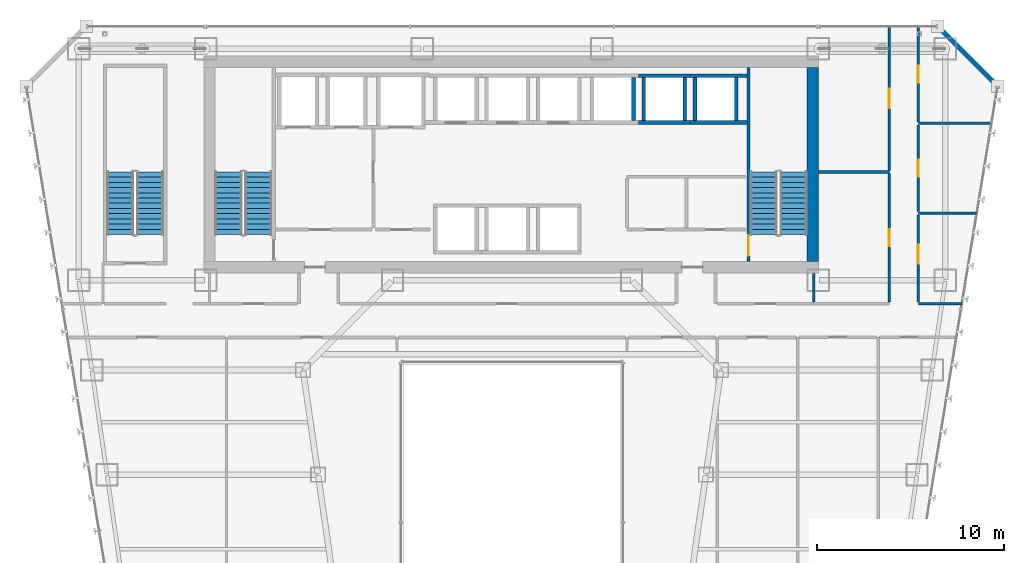
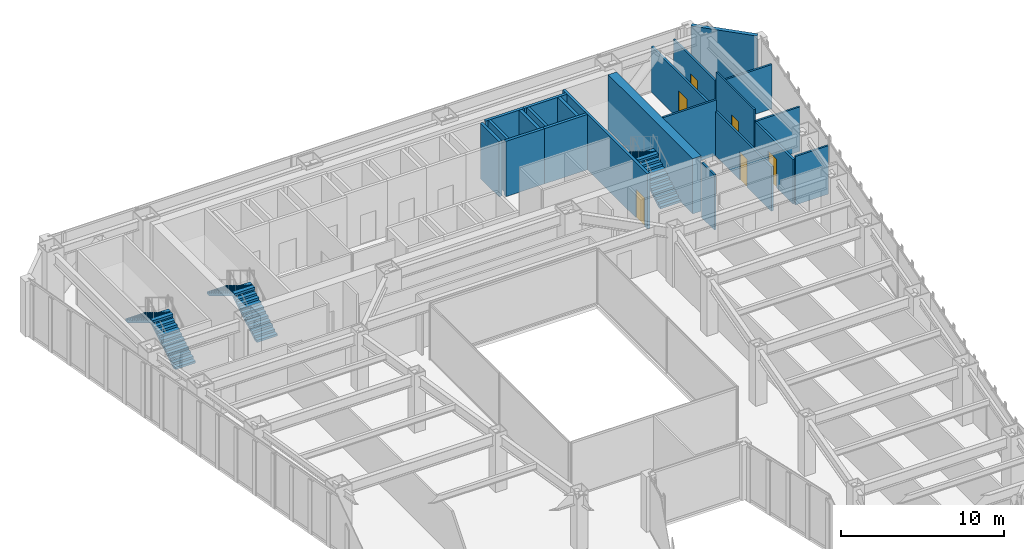
# One storey, part 38 of 47: 22 walls, 6 doors, 6 stair flights, 6 openings, 3 elements without a shape of their own.
"""IFC4 building model written with IfcOpenShell, lengths in metres."""

from ifc_helpers import new_model, si_unit, direction, frame, frame_2d, origin, place, context, subcontext, project, spatial, polyline, rectangle, outline, extrude, material, layer, layer_set, type_object, element, fill, aggregate, save


model = new_model("IFC4")

# Units and contexts
model_context = context("Model", 3, precision=1e-05, world=origin(), true_north=direction((0.0, 1.0)))
body_context = subcontext(model_context, "Body", "Model", "MODEL_VIEW")
ifc_project = project(units=[si_unit("LENGTHUNIT", "METRE"), si_unit("AREAUNIT", "SQUARE_METRE"), si_unit("VOLUMEUNIT", "CUBIC_METRE"), si_unit("PLANEANGLEUNIT", "RADIAN"), si_unit("MASSUNIT", "GRAM", prefix="KILO")], contexts=[model_context])

# Site, building, storey
site_placement = place(None, origin())
site = spatial("IfcSite", under=ifc_project, at=site_placement, CompositionType="ELEMENT")
building_placement = place(site_placement, origin())
building = spatial("IfcBuilding", under=site, at=building_placement, Name="Saevonmaru Cultural Tower", CompositionType="ELEMENT")
storey_placement = place(building_placement, frame((0.0, 0.0, 64.800048828125)))
storey = spatial("IfcBuildingStorey", under=building, at=storey_placement, Name="L13", CompositionType="ELEMENT", Elevation=64.800048828125)

# Walls
ifc_material_1 = material(Name="Concrete C60/75", Category="concrete")
ifc_layer_1 = layer(ifc_material_1, 0.60009765625, Name="Concrete C60/75")
ifc_layer_set_1 = layer_set([ifc_layer_1], Name="Concrete C60/75")
wall_type_1 = type_object("IfcWallType", Name="WL-CORE-600", PredefinedType="SHEAR", material=ifc_layer_set_1)
wall_1_placement = place(storey_placement, frame((46.10009765625, 43.39990234375, 0.0), z_axis=(0.0, 0.0, 1.0), x_axis=(0.0, 1.0, 0.0)))
element("IfcWall", 1, at=wall_1_placement, inside=storey, type_object=wall_type_1, Name="L13 Tower RC core shear wall E", PredefinedType="SHEAR", context=body_context, shape_type="SweptSolid", body=[
    extrude(rectangle(XDim=10.400146484375, YDim=0.60009765625, at=frame_2d((5.2001953125, 0.0))), origin(), (0.0, 0.0, 1.0), 4.14990234375),
])
ifc_material_2 = material(Name="Granite-Clad Precast Concrete C40/50", Category="masonry")
ifc_layer_2 = layer(ifc_material_2, 0.260009765625, Name="Granite-Clad Precast Concrete C40/50")
ifc_layer_set_2 = layer_set([ifc_layer_2], Name="Granite-Clad Precast Concrete C40/50")
wall_type_2 = type_object("IfcWallType", Name="WL-EXT-SPANDREL-260", PredefinedType="STANDARD", material=ifc_layer_set_2)
wall_2_placement = place(storey_placement, frame((55.886962890625, 52.9130859375, 0.0), z_axis=(0.0, 0.0, 1.0), x_axis=(-0.707106781187, 0.707106781187, 0.0)))
element("IfcWall", 2, at=wall_2_placement, inside=storey, type_object=wall_type_2, Name="L13 Chamfer Corner Spandrel Wall E9", PredefinedType="STANDARD", context=body_context, shape_type="SweptSolid", body=[
    extrude(rectangle(XDim=4.205810546875, YDim=0.260009765625, at=frame_2d((2.10302734375, 0.0))), origin(), (0.0, 0.0, 1.0), 4.14990234375),
])

# Wall, opening, door
ifc_material_3 = material(Name="Gypsum Fireboard Partition", Category="gypsum")
ifc_layer_3 = layer(ifc_material_3, 0.14990234375, Name="Gypsum Fireboard Partition")
ifc_layer_set_3 = layer_set([ifc_layer_3], Name="Gypsum Fireboard Partition")
wall_type_3 = type_object("IfcWallType", Name="WL-PART-FIRE-150", PredefinedType="PARTITIONING", material=ifc_layer_set_3)
wall_3_placement = place(storey_placement, frame((50.199951171875, 48.2900390625, 0.0), z_axis=(0.0, 0.0, 1.0), x_axis=(0.0, 1.0, 0.0)))
wall_3 = element("IfcWall", 3, at=wall_3_placement, inside=storey, type_object=wall_type_3, Name="L13 Permanent Exhibition Gallery Corridor Wall", PredefinedType="PARTITIONING", context=body_context, shape_type="SweptSolid", body=[
    extrude(rectangle(XDim=7.705078125, YDim=0.14990234375, at=frame_2d((3.8525390625, 0.0))), origin(), (0.0, 0.0, 1.0), 3.43505859375),
])
opening_1_placement = place(wall_3_placement, frame((3.326904296875, 0.0, 0.0)))
opening_1 = element("IfcOpeningElement", 4, at=opening_1_placement, cuts=wall_3, Name="Opening ID-1", PredefinedType="OPENING", context=body_context, shape_type="SweptSolid", body=[
    extrude(rectangle(XDim=1.050048828125, YDim=2.14990234375, at=frame_2d((0.52490234375, 1.074951171875))), frame((0.0, 0.0849609375, 0.0), z_axis=(0.0, -1.0, 0.0), x_axis=(1.0, 0.0, 0.0)), (0.0, 0.0, 1.0), 0.169921875),
])
ifc_material_4 = material(Name="Satin Bronze Anodised Aluminium", Category="aluminium")
door_type_1 = type_object("IfcDoorType", Name="DR-INT-1050", OperationType="SINGLE_SWING_LEFT", PredefinedType="DOOR", material=ifc_material_4)
door_1_placement = place(opening_1_placement, origin())
door_1 = element("IfcDoor", 5, at=door_1_placement, inside=storey, type_object=door_type_1, Name="L13 Permanent Exhibition Gallery Door", OperationType="SINGLE_SWING_LEFT", OverallHeight=2.14990234375, OverallWidth=1.050048828125, PredefinedType="DOOR", context=body_context, shape_type="SweptSolid", body=[
    extrude(rectangle(XDim=1.050048828125, YDim=2.14990234375, at=frame_2d((0.52490234375, 1.074951171875))), frame((0.0, 0.02490234375, 0.0), z_axis=(0.0, -1.0, 0.0), x_axis=(1.0, 0.0, 0.0)), (0.0, 0.0, 1.0), 0.050048828125),
])
fill(opening_1, door_1)

wall_4_placement = place(storey_placement, frame((51.75, 41.237548828125, 0.0), z_axis=(0.0, 0.0, 1.0), x_axis=(0.0, 1.0, 0.0)))
wall_4 = element("IfcWall", 6, at=wall_4_placement, inside=storey, type_object=wall_type_3, Name="L13 Chamber Rehearsal Auditorium Corridor Wall", PredefinedType="PARTITIONING", context=body_context, shape_type="SweptSolid", body=[
    extrude(rectangle(XDim=4.675048828125, YDim=0.14990234375, at=frame_2d((2.33740234375, 0.0))), origin(), (0.0, 0.0, 1.0), 3.3349609375),
])
opening_2_placement = place(wall_4_placement, frame((2.05810546875, 0.0, 0.0)))
opening_2 = element("IfcOpeningElement", 7, at=opening_2_placement, cuts=wall_4, Name="Opening ID-1B", PredefinedType="OPENING", context=body_context, shape_type="SweptSolid", body=[
    extrude(rectangle(XDim=1.0, YDim=2.14990234375, at=frame_2d((0.5, 1.074951171875))), frame((0.0, 0.0849609375, 0.0), z_axis=(0.0, -1.0, 0.0), x_axis=(1.0, 0.0, 0.0)), (0.0, 0.0, 1.0), 0.169921875),
])
ifc_material_5 = material(Name="Acoustic Stained Oak Timber", Category="wood")
door_type_2 = type_object("IfcDoorType", Name="DR-INT-1000", OperationType="SINGLE_SWING_RIGHT", PredefinedType="DOOR", material=ifc_material_5)
door_2_placement = place(opening_2_placement, origin())
door_2 = element("IfcDoor", 8, at=door_2_placement, inside=storey, type_object=door_type_2, Name="L13 Chamber Rehearsal Auditorium Door", OperationType="SINGLE_SWING_RIGHT", OverallHeight=2.14990234375, OverallWidth=1.0, PredefinedType="DOOR", context=body_context, shape_type="SweptSolid", body=[
    extrude(rectangle(XDim=1.0, YDim=2.14990234375, at=frame_2d((0.5, 1.074951171875))), frame((0.0, 0.02490234375, 0.0), z_axis=(0.0, -1.0, 0.0), x_axis=(1.0, 0.0, 0.0)), (0.0, 0.0, 1.0), 0.050048828125),
])
fill(opening_2, door_2)

ifc_layer_4 = layer(ifc_material_3, 0.1201171875, Name="Gypsum Fireboard Partition")
ifc_layer_set_4 = layer_set([ifc_layer_4], Name="Gypsum Fireboard Partition")
wall_type_4 = type_object("IfcWallType", Name="WL-PART-GYP-120", PredefinedType="PARTITIONING", material=ifc_layer_set_4)
wall_5_placement = place(storey_placement, frame((51.75, 46.08740234375, 0.0), z_axis=(0.0, 0.0, 1.0), x_axis=(0.0, 1.0, 0.0)))
wall_5 = element("IfcWall", 9, at=wall_5_placement, inside=storey, type_object=wall_type_4, Name="L13 Urban Design Meeting Room Corridor Wall", PredefinedType="PARTITIONING", context=body_context, shape_type="SweptSolid", body=[
    extrude(rectangle(XDim=4.625, YDim=0.1201171875, at=frame_2d((2.3125, 0.0))), origin(), (0.0, 0.0, 1.0), 4.14990234375),
])
opening_3_placement = place(wall_5_placement, frame((1.863037109375, 0.0, 0.0)))
opening_3 = element("IfcOpeningElement", 10, at=opening_3_placement, cuts=wall_5, Name="Opening ID-2", PredefinedType="OPENING", context=body_context, shape_type="SweptSolid", body=[
    extrude(rectangle(XDim=0.89990234375, YDim=2.10009765625, at=frame_2d((0.449951171875, 1.050048828125))), frame((0.0, 0.070068359375, 0.0), z_axis=(0.0, -1.0, 0.0), x_axis=(1.0, 0.0, 0.0)), (0.0, 0.0, 1.0), 0.14013671875),
])
door_type_3 = type_object("IfcDoorType", Name="DR-INT-900", OperationType="SINGLE_SWING_RIGHT", PredefinedType="DOOR", material=ifc_material_5)
door_3_placement = place(opening_3_placement, origin())
door_3 = element("IfcDoor", 11, at=door_3_placement, inside=storey, type_object=door_type_3, Name="L13 Urban Design Meeting Room Door", OperationType="SINGLE_SWING_LEFT", OverallHeight=2.10009765625, OverallWidth=0.89990234375, PredefinedType="DOOR", context=body_context, shape_type="SweptSolid", body=[
    extrude(rectangle(XDim=0.89990234375, YDim=2.10009765625, at=frame_2d((0.449951171875, 1.050048828125))), frame((0.0, 0.02490234375, 0.0), z_axis=(0.0, -1.0, 0.0), x_axis=(1.0, 0.0, 0.0)), (0.0, 0.0, 1.0), 0.050048828125),
])
fill(opening_3, door_3)

wall_6_placement = place(storey_placement, frame((51.75, 50.887451171875, 0.0), z_axis=(0.0, 0.0, 1.0), x_axis=(0.0, 1.0, 0.0)))
wall_6 = element("IfcWall", 12, at=wall_6_placement, inside=storey, type_object=wall_type_4, Name="L13 Calligraphy Teaching Studio Corridor Wall", PredefinedType="PARTITIONING", context=body_context, shape_type="SweptSolid", body=[
    extrude(rectangle(XDim=5.107666015625, YDim=0.1201171875, at=frame_2d((2.5537109375, 0.0))), origin(), (0.0, 0.0, 1.0), 3.43505859375),
])
opening_4_placement = place(wall_6_placement, frame((2.10400390625, 0.0, 0.0)))
opening_4 = element("IfcOpeningElement", 13, at=opening_4_placement, cuts=wall_6, Name="Opening ID-2", PredefinedType="OPENING", context=body_context, shape_type="SweptSolid", body=[
    extrude(rectangle(XDim=0.89990234375, YDim=2.10009765625, at=frame_2d((0.449951171875, 1.050048828125))), frame((0.0, 0.070068359375, 0.0), z_axis=(0.0, -1.0, 0.0), x_axis=(1.0, 0.0, 0.0)), (0.0, 0.0, 1.0), 0.14013671875),
])
door_4_placement = place(opening_4_placement, origin())
door_4 = element("IfcDoor", 14, at=door_4_placement, inside=storey, type_object=door_type_3, Name="L13 Calligraphy Teaching Studio Door", OperationType="SINGLE_SWING_RIGHT", OverallHeight=2.10009765625, OverallWidth=0.89990234375, PredefinedType="DOOR", context=body_context, shape_type="SweptSolid", body=[
    extrude(rectangle(XDim=0.89990234375, YDim=2.10009765625, at=frame_2d((0.449951171875, 1.050048828125))), frame((0.0, 0.02490234375, 0.0), z_axis=(0.0, -1.0, 0.0), x_axis=(1.0, 0.0, 0.0)), (0.0, 0.0, 1.0), 0.050048828125),
])
fill(opening_4, door_4)

# Walls
ifc_layer_5 = layer(ifc_material_3, 0.135009765625, Name="Gypsum Fireboard Partition")
ifc_layer_set_5 = layer_set([ifc_layer_5], Name="Gypsum Fireboard Partition")
wall_type_5 = type_object("IfcWallType", Name="WL-PART-GYP-135", PredefinedType="PARTITIONING", material=ifc_layer_set_5)
wall_7_placement = place(storey_placement, frame((51.75, 41.14990234375, 0.0), z_axis=(0.0, 0.0, 1.0), x_axis=(1.0, 0.0, 0.0)))
element("IfcWall", 15, at=wall_7_placement, inside=storey, type_object=wall_type_5, Name="L13 NE Wing South Wall", PredefinedType="PARTITIONING", context=body_context, shape_type="SweptSolid", body=[
    extrude(rectangle(XDim=2.3359375, YDim=0.135009765625, at=frame_2d((1.16796875, 0.0))), origin(), (0.0, 0.0, 1.0), 3.635009765625),
])
wall_8_placement = place(storey_placement, frame((51.75, 46.0, 0.0), z_axis=(0.0, 0.0, 1.0), x_axis=(1.0, 0.0, 0.0)))
element("IfcWall", 16, at=wall_8_placement, inside=storey, type_object=wall_type_5, Name="L13 NE Studio Divider 1", PredefinedType="PARTITIONING", context=body_context, shape_type="SweptSolid", body=[
    extrude(rectangle(XDim=3.130615234375, YDim=0.135009765625, at=frame_2d((1.5654296875, 0.0))), origin(), (0.0, 0.0, 1.0), 3.3349609375),
])
wall_9_placement = place(storey_placement, frame((51.75, 50.800048828125, 0.0), z_axis=(0.0, 0.0, 1.0), x_axis=(1.0, 0.0, 0.0)))
element("IfcWall", 17, at=wall_9_placement, inside=storey, type_object=wall_type_5, Name="L13 NE Studio Divider 2", PredefinedType="PARTITIONING", context=body_context, shape_type="SweptSolid", body=[
    extrude(rectangle(XDim=3.917236328125, YDim=0.135009765625, at=frame_2d((1.95849609375, 0.0))), origin(), (0.0, 0.0, 1.0), 3.3349609375),
])
ifc_layer_6 = layer(ifc_material_3, 0.139892578125, Name="Gypsum Fireboard Partition")
ifc_layer_set_6 = layer_set([ifc_layer_6], Name="Gypsum Fireboard Partition")
wall_type_6 = type_object("IfcWallType", Name="WL-PART-WET-140", PredefinedType="PARTITIONING", material=ifc_layer_set_6)
wall_10_placement = place(storey_placement, frame((46.14990234375, 41.239990234375, 0.0), z_axis=(0.0, 0.0, 1.0), x_axis=(0.0, 1.0, 0.0)))
element("IfcWall", 18, at=wall_10_placement, inside=storey, type_object=wall_type_6, Name="L13 Washroom South-West Return", PredefinedType="PARTITIONING", context=body_context, shape_type="SweptSolid", body=[
    extrude(rectangle(XDim=1.5400390625, YDim=0.139892578125, at=frame_2d((0.77001953125, 0.0))), origin(), (0.0, 0.0, 1.0), 4.14990234375),
])
wall_11_placement = place(storey_placement, frame((46.419921875, 48.199951171875, 0.0), z_axis=(0.0, 0.0, 1.0), x_axis=(1.0, 0.0, 0.0)))
element("IfcWall", 19, at=wall_11_placement, inside=storey, type_object=wall_type_6, Name="L13 Washroom North Wall", PredefinedType="PARTITIONING", context=body_context, shape_type="SweptSolid", body=[
    extrude(rectangle(XDim=3.780029296875, YDim=0.139892578125, at=frame_2d((1.89013671875, 0.0))), origin(), (0.0, 0.0, 1.0), 4.14990234375),
])

# Wall, opening, door
wall_12_placement = place(storey_placement, frame((50.199951171875, 41.239990234375, 0.0), z_axis=(0.0, 0.0, 1.0), x_axis=(0.0, 1.0, 0.0)))
wall_12 = element("IfcWall", 20, at=wall_12_placement, inside=storey, type_object=wall_type_6, Name="L13 Washroom Corridor Wall", PredefinedType="PARTITIONING", context=body_context, shape_type="SweptSolid", body=[
    extrude(rectangle(XDim=6.8701171875, YDim=0.139892578125, at=frame_2d((3.43505859375, 0.0))), origin(), (0.0, 0.0, 1.0), 3.3349609375),
])
opening_5_placement = place(wall_12_placement, frame((2.985107421875, 0.0, 0.0)))
opening_5 = element("IfcOpeningElement", 21, at=opening_5_placement, cuts=wall_12, Name="Opening ID-2", PredefinedType="OPENING", context=body_context, shape_type="SweptSolid", body=[
    extrude(rectangle(XDim=0.89990234375, YDim=2.10009765625, at=frame_2d((0.449951171875, 1.050048828125))), frame((0.0, 0.080078125, 0.0), z_axis=(0.0, -1.0, 0.0), x_axis=(1.0, 0.0, 0.0)), (0.0, 0.0, 1.0), 0.159912109375),
])
door_5_placement = place(opening_5_placement, origin())
door_5 = element("IfcDoor", 22, at=door_5_placement, inside=storey, type_object=door_type_3, Name="L13 Public Accessible Washrooms Door", OperationType="SINGLE_SWING_RIGHT", OverallHeight=2.10009765625, OverallWidth=0.89990234375, PredefinedType="DOOR", context=body_context, shape_type="SweptSolid", body=[
    extrude(rectangle(XDim=0.89990234375, YDim=2.10009765625, at=frame_2d((0.449951171875, 1.050048828125))), frame((0.0, 0.02490234375, 0.0), z_axis=(0.0, -1.0, 0.0), x_axis=(1.0, 0.0, 0.0)), (0.0, 0.0, 1.0), 0.050048828125),
])
fill(opening_5, door_5)

# Walls
ifc_material_6 = material(Name="Concrete C40/50", Category="concrete")
ifc_layer_7 = layer(ifc_material_6, 0.199951171875, Name="Concrete C40/50")
ifc_layer_set_7 = layer_set([ifc_layer_7], Name="Concrete C40/50")
wall_type_7 = type_object("IfcWallType", Name="WL-SHAFT-200", PredefinedType="SHEAR", material=ifc_layer_set_7)
wall_13_placement = place(storey_placement, frame((36.5, 50.949951171875, 0.0), z_axis=(0.0, 0.0, 1.0), x_axis=(0.0, 1.0, 0.0)))
element("IfcWall", 23, at=wall_13_placement, inside=storey, type_object=wall_type_7, Name="L13 Lift PL-H1 Hoistway Wall E", PredefinedType="SHEAR", context=body_context, shape_type="SweptSolid", body=[
    extrude(rectangle(XDim=2.300048828125, YDim=0.199951171875, at=frame_2d((1.14990234375, 0.0))), origin(), (0.0, 0.0, 1.0), 4.14990234375),
])
for number, where, z_axis, x_axis, name in (
    (24, (36.77490234375, 50.85009765625, 0.0), (0.0, 0.0, 1.0), (1.0, 0.0, 0.0), "L13 Lift PL-H2 Hoistway Wall S"),
    (25, (36.77490234375, 53.35009765625, 0.0), (0.0, 0.0, 1.0), (1.0, 0.0, 0.0), "L13 Lift PL-H2 Hoistway Wall N"),
):
    element("IfcWall", number, at=place(storey_placement, frame(where, z_axis=z_axis, x_axis=x_axis)), inside=storey, type_object=wall_type_7, Name=name, PredefinedType="SHEAR", context=body_context, shape_type="SweptSolid", body=[
        extrude(rectangle(XDim=2.75, YDim=0.199951171875, at=frame_2d((1.375, 0.0))), origin(), (0.0, 0.0, 1.0), 4.14990234375),
    ])
for number, where, z_axis, x_axis, name in (
    (26, (37.050048828125, 50.949951171875, 0.0), (0.0, 0.0, 1.0), (0.0, 1.0, 0.0), "L13 Lift PL-H2 Hoistway Wall W"),
    (27, (39.25, 50.949951171875, 0.0), (0.0, 0.0, 1.0), (0.0, 1.0, 0.0), "L13 Lift PL-H2 Hoistway Wall E"),
):
    element("IfcWall", number, at=place(storey_placement, frame(where, z_axis=z_axis, x_axis=x_axis)), inside=storey, type_object=wall_type_7, Name=name, PredefinedType="SHEAR", context=body_context, shape_type="SweptSolid", body=[
        extrude(rectangle(XDim=2.300048828125, YDim=0.199951171875, at=frame_2d((1.14990234375, 0.0))), origin(), (0.0, 0.0, 1.0), 4.14990234375),
    ])
for number, where, z_axis, x_axis, name in (
    (28, (39.52490234375, 50.85009765625, 0.0), (0.0, 0.0, 1.0), (1.0, 0.0, 0.0), "L13 Lift PL-H3 Hoistway Wall S"),
    (29, (39.52490234375, 53.35009765625, 0.0), (0.0, 0.0, 1.0), (1.0, 0.0, 0.0), "L13 Lift PL-H3 Hoistway Wall N"),
):
    element("IfcWall", number, at=place(storey_placement, frame(where, z_axis=z_axis, x_axis=x_axis)), inside=storey, type_object=wall_type_7, Name=name, PredefinedType="SHEAR", context=body_context, shape_type="SweptSolid", body=[
        extrude(rectangle(XDim=3.045166015625, YDim=0.199951171875, at=frame_2d((1.5224609375, 0.0))), origin(), (0.0, 0.0, 1.0), 4.14990234375),
    ])
for number, where, z_axis, x_axis, name in (
    (30, (39.800048828125, 50.949951171875, 0.0), (0.0, 0.0, 1.0), (0.0, 1.0, 0.0), "L13 Lift PL-H3 Hoistway Wall W"),
    (31, (42.0, 50.949951171875, 0.0), (0.0, 0.0, 1.0), (0.0, 1.0, 0.0), "L13 Lift PL-H3 Hoistway Wall E"),
):
    element("IfcWall", number, at=place(storey_placement, frame(where, z_axis=z_axis, x_axis=x_axis)), inside=storey, type_object=wall_type_7, Name=name, PredefinedType="SHEAR", context=body_context, shape_type="SweptSolid", body=[
        extrude(rectangle(XDim=2.300048828125, YDim=0.199951171875, at=frame_2d((1.14990234375, 0.0))), origin(), (0.0, 0.0, 1.0), 4.14990234375),
    ])

# Wall, opening, door
ifc_layer_8 = layer(ifc_material_6, 0.179931640625, Name="Concrete C40/50")
ifc_layer_set_8 = layer_set([ifc_layer_8], Name="Concrete C40/50")
wall_type_8 = type_object("IfcWallType", Name="WL-STSHAFT-180", PredefinedType="SHEAR", material=ifc_layer_set_8)
wall_14_placement = place(storey_placement, frame((42.659912109375, 53.800048828125, 0.0), z_axis=(0.0, 0.0, 1.0), x_axis=(0.0, -1.0, 0.0)))
wall_14 = element("IfcWall", 32, at=wall_14_placement, inside=storey, type_object=wall_type_8, Name="L13 Stair ST-2 Structural Shaft Wall 1", PredefinedType="SHEAR", context=body_context, shape_type="SweptSolid", body=[
    extrude(rectangle(XDim=10.400146484375, YDim=0.179931640625, at=frame_2d((5.2001953125, 0.0))), origin(), (0.0, 0.0, 1.0), 4.14990234375),
])
opening_6_placement = place(wall_14_placement, frame((8.989990234375, 0.0, 0.0)))
opening_6 = element("IfcOpeningElement", 33, at=opening_6_placement, cuts=wall_14, Name="Opening FD-2", PredefinedType="OPENING", context=body_context, shape_type="SweptSolid", body=[
    extrude(rectangle(XDim=1.10009765625, YDim=2.14990234375, at=frame_2d((0.550048828125, 1.074951171875))), frame((0.0, 0.10009765625, 0.0), z_axis=(0.0, -1.0, 0.0), x_axis=(1.0, 0.0, 0.0)), (0.0, 0.0, 1.0), 0.199951171875),
])
door_type_4 = type_object("IfcDoorType", Name="DR-FD60-1100", OperationType="SINGLE_SWING_LEFT", PredefinedType="DOOR", material=ifc_material_4)
door_6_placement = place(opening_6_placement, origin())
door_6 = element("IfcDoor", 34, at=door_6_placement, inside=storey, type_object=door_type_4, Name="L13 Protected Stair ST-2 Fire Door", OperationType="SINGLE_SWING_LEFT", OverallHeight=2.14990234375, OverallWidth=1.10009765625, PredefinedType="DOOR", context=body_context, shape_type="SweptSolid", body=[
    extrude(rectangle(XDim=1.10009765625, YDim=2.14990234375, at=frame_2d((0.550048828125, 1.074951171875))), frame((0.0, 0.02490234375, 0.0), z_axis=(0.0, -1.0, 0.0), x_axis=(1.0, 0.0, 0.0)), (0.0, 0.0, 1.0), 0.050048828125),
])
fill(opening_6, door_6)

# Stair, stair flights
stair_type = type_object("IfcStairType", Name="STR-DOGLEG-RC", PredefinedType="HALF_TURN_STAIR", material=ifc_material_6)
stair_1_placement = place(storey_placement, origin())
stair_1 = element("IfcStair", 35, at=stair_1_placement, inside=storey, type_object=stair_type, Name="L13 Protected exit stair ST-1", PredefinedType="HALF_TURN_STAIR")
ifc_material_7 = material(Name="Precast concrete C40/50", Category="concrete")
stair_flight_type = type_object("IfcStairFlightType", Name="STF-PRECAST-180", PredefinedType="STRAIGHT", material=ifc_material_7)
stair_flight_1_placement = place(storey_placement, frame((16.425048828125, 44.85009765625, 0.0), z_axis=(0.0, 0.0, 1.0), x_axis=(0.0, 1.0, 0.0)))
stair_flight_1 = element("IfcStairFlight", 36, at=stair_flight_1_placement, type_object=stair_flight_type, Name="ST-1-L13 flight 1", NumberOfRisers=13, NumberOfTreads=12, PredefinedType="STRAIGHT", RiserHeight=0.169230769, TreadLength=0.28, context=body_context, shape_type="SweptSolid", body=[
    extrude(outline(polyline([(0.0, 0.0), (0.0, 0.169189453125), (0.280029296875, 0.169189453125), (0.280029296875, 0.33837890625), (0.56005859375, 0.33837890625), (0.56005859375, 0.5078125), (0.840087890625, 0.5078125), (0.840087890625, 0.677001953125), (1.1201171875, 0.677001953125), (1.1201171875, 0.84619140625), (1.39990234375, 0.84619140625), (1.39990234375, 1.015380859375), (1.679931640625, 1.015380859375), (1.679931640625, 1.1845703125), (1.9599609375, 1.1845703125), (1.9599609375, 1.353759765625), (2.239990234375, 1.353759765625), (2.239990234375, 1.523193359375), (2.52001953125, 1.523193359375), (2.52001953125, 1.6923828125), (2.800048828125, 1.6923828125), (2.800048828125, 1.861572265625), (3.080078125, 1.861572265625), (3.080078125, 2.03076171875), (3.360107421875, 2.03076171875), (3.360107421875, 2.199951171875), (3.360107421875, 1.855712890625), (0.289794921875, 0.0), (0.0, 0.0)])), frame((0.0, 0.72509765625, 0.0), z_axis=(0.0, -1.0, 0.0), x_axis=(1.0, 0.0, 0.0)), (0.0, 0.0, 1.0), 1.449951171875),
])
stair_flight_2_placement = place(storey_placement, frame((14.824951171875, 48.2099609375, 2.199951171875), z_axis=(0.0, 0.0, 1.0), x_axis=(0.0, -1.0, 0.0)))
stair_flight_2 = element("IfcStairFlight", 37, at=stair_flight_2_placement, type_object=stair_flight_type, Name="ST-1-L13 flight 2", NumberOfRisers=13, NumberOfTreads=12, PredefinedType="STRAIGHT", RiserHeight=0.169230769, TreadLength=0.28, context=body_context, shape_type="SweptSolid", body=[
    extrude(outline(polyline([(0.0, 0.0), (0.0, 0.169189453125), (0.280029296875, 0.169189453125), (0.280029296875, 0.33837890625), (0.56005859375, 0.33837890625), (0.56005859375, 0.5078125), (0.840087890625, 0.5078125), (0.840087890625, 0.677001953125), (1.1201171875, 0.677001953125), (1.1201171875, 0.84619140625), (1.39990234375, 0.84619140625), (1.39990234375, 1.015380859375), (1.679931640625, 1.015380859375), (1.679931640625, 1.1845703125), (1.9599609375, 1.1845703125), (1.9599609375, 1.353759765625), (2.239990234375, 1.353759765625), (2.239990234375, 1.523193359375), (2.52001953125, 1.523193359375), (2.52001953125, 1.6923828125), (2.800048828125, 1.6923828125), (2.800048828125, 1.861572265625), (3.080078125, 1.861572265625), (3.080078125, 2.03076171875), (3.360107421875, 2.03076171875), (3.360107421875, 2.199951171875), (3.360107421875, 1.855712890625), (0.289794921875, 0.0), (0.0, 0.0)])), frame((0.0, 0.72509765625, 0.0), z_axis=(0.0, -1.0, 0.0), x_axis=(1.0, 0.0, 0.0)), (0.0, 0.0, 1.0), 1.449951171875),
])
aggregate(stair_1, [stair_flight_1, stair_flight_2])

stair_2_placement = place(storey_placement, origin())
stair_2 = element("IfcStair", 38, at=stair_2_placement, inside=storey, type_object=stair_type, Name="L13 Protected exit stair ST-2", PredefinedType="HALF_TURN_STAIR")
stair_flight_3_placement = place(storey_placement, frame((45.074951171875, 44.85009765625, 0.0), z_axis=(0.0, 0.0, 1.0), x_axis=(0.0, 1.0, 0.0)))
stair_flight_3 = element("IfcStairFlight", 39, at=stair_flight_3_placement, type_object=stair_flight_type, Name="ST-2-L13 flight 1", NumberOfRisers=13, NumberOfTreads=12, PredefinedType="STRAIGHT", RiserHeight=0.169230769, TreadLength=0.28, context=body_context, shape_type="SweptSolid", body=[
    extrude(outline(polyline([(0.0, 0.0), (0.0, 0.169189453125), (0.280029296875, 0.169189453125), (0.280029296875, 0.33837890625), (0.56005859375, 0.33837890625), (0.56005859375, 0.5078125), (0.840087890625, 0.5078125), (0.840087890625, 0.677001953125), (1.1201171875, 0.677001953125), (1.1201171875, 0.84619140625), (1.39990234375, 0.84619140625), (1.39990234375, 1.015380859375), (1.679931640625, 1.015380859375), (1.679931640625, 1.1845703125), (1.9599609375, 1.1845703125), (1.9599609375, 1.353759765625), (2.239990234375, 1.353759765625), (2.239990234375, 1.523193359375), (2.52001953125, 1.523193359375), (2.52001953125, 1.6923828125), (2.800048828125, 1.6923828125), (2.800048828125, 1.861572265625), (3.080078125, 1.861572265625), (3.080078125, 2.03076171875), (3.360107421875, 2.03076171875), (3.360107421875, 2.199951171875), (3.360107421875, 1.855712890625), (0.289794921875, 0.0), (0.0, 0.0)])), frame((0.0, 0.72509765625, 0.0), z_axis=(0.0, -1.0, 0.0), x_axis=(1.0, 0.0, 0.0)), (0.0, 0.0, 1.0), 1.449951171875),
])
stair_flight_4_placement = place(storey_placement, frame((43.47509765625, 48.2099609375, 2.199951171875), z_axis=(0.0, 0.0, 1.0), x_axis=(0.0, -1.0, 0.0)))
stair_flight_4 = element("IfcStairFlight", 40, at=stair_flight_4_placement, type_object=stair_flight_type, Name="ST-2-L13 flight 2", NumberOfRisers=13, NumberOfTreads=12, PredefinedType="STRAIGHT", RiserHeight=0.169230769, TreadLength=0.28, context=body_context, shape_type="SweptSolid", body=[
    extrude(outline(polyline([(0.0, 0.0), (0.0, 0.169189453125), (0.280029296875, 0.169189453125), (0.280029296875, 0.33837890625), (0.56005859375, 0.33837890625), (0.56005859375, 0.5078125), (0.840087890625, 0.5078125), (0.840087890625, 0.677001953125), (1.1201171875, 0.677001953125), (1.1201171875, 0.84619140625), (1.39990234375, 0.84619140625), (1.39990234375, 1.015380859375), (1.679931640625, 1.015380859375), (1.679931640625, 1.1845703125), (1.9599609375, 1.1845703125), (1.9599609375, 1.353759765625), (2.239990234375, 1.353759765625), (2.239990234375, 1.523193359375), (2.52001953125, 1.523193359375), (2.52001953125, 1.6923828125), (2.800048828125, 1.6923828125), (2.800048828125, 1.861572265625), (3.080078125, 1.861572265625), (3.080078125, 2.03076171875), (3.360107421875, 2.03076171875), (3.360107421875, 2.199951171875), (3.360107421875, 1.855712890625), (0.289794921875, 0.0), (0.0, 0.0)])), frame((0.0, 0.72509765625, 0.0), z_axis=(0.0, -1.0, 0.0), x_axis=(1.0, 0.0, 0.0)), (0.0, 0.0, 1.0), 1.449951171875),
])
aggregate(stair_2, [stair_flight_3, stair_flight_4])

stair_3_placement = place(storey_placement, origin())
stair_3 = element("IfcStair", 41, at=stair_3_placement, inside=storey, type_object=stair_type, Name="L13 Protected exit stair ST-3", PredefinedType="HALF_TURN_STAIR")
stair_flight_5_placement = place(storey_placement, frame((10.625, 44.85009765625, 0.0), z_axis=(0.0, 0.0, 1.0), x_axis=(0.0, 1.0, 0.0)))
stair_flight_5 = element("IfcStairFlight", 42, at=stair_flight_5_placement, type_object=stair_flight_type, Name="ST-3-L13 flight 1", NumberOfRisers=13, NumberOfTreads=12, PredefinedType="STRAIGHT", RiserHeight=0.169230769, TreadLength=0.28, context=body_context, shape_type="SweptSolid", body=[
    extrude(outline(polyline([(0.0, 0.0), (0.0, 0.169189453125), (0.280029296875, 0.169189453125), (0.280029296875, 0.33837890625), (0.56005859375, 0.33837890625), (0.56005859375, 0.5078125), (0.840087890625, 0.5078125), (0.840087890625, 0.677001953125), (1.1201171875, 0.677001953125), (1.1201171875, 0.84619140625), (1.39990234375, 0.84619140625), (1.39990234375, 1.015380859375), (1.679931640625, 1.015380859375), (1.679931640625, 1.1845703125), (1.9599609375, 1.1845703125), (1.9599609375, 1.353759765625), (2.239990234375, 1.353759765625), (2.239990234375, 1.523193359375), (2.52001953125, 1.523193359375), (2.52001953125, 1.6923828125), (2.800048828125, 1.6923828125), (2.800048828125, 1.861572265625), (3.080078125, 1.861572265625), (3.080078125, 2.03076171875), (3.360107421875, 2.03076171875), (3.360107421875, 2.199951171875), (3.360107421875, 1.855712890625), (0.289794921875, 0.0), (0.0, 0.0)])), frame((0.0, 0.72509765625, 0.0), z_axis=(0.0, -1.0, 0.0), x_axis=(1.0, 0.0, 0.0)), (0.0, 0.0, 1.0), 1.449951171875),
])
stair_flight_6_placement = place(storey_placement, frame((9.02490234375, 48.2099609375, 2.199951171875), z_axis=(0.0, 0.0, 1.0), x_axis=(0.0, -1.0, 0.0)))
stair_flight_6 = element("IfcStairFlight", 43, at=stair_flight_6_placement, type_object=stair_flight_type, Name="ST-3-L13 flight 2", NumberOfRisers=13, NumberOfTreads=12, PredefinedType="STRAIGHT", RiserHeight=0.169230769, TreadLength=0.28, context=body_context, shape_type="SweptSolid", body=[
    extrude(outline(polyline([(0.0, 0.0), (0.0, 0.169189453125), (0.280029296875, 0.169189453125), (0.280029296875, 0.33837890625), (0.56005859375, 0.33837890625), (0.56005859375, 0.5078125), (0.840087890625, 0.5078125), (0.840087890625, 0.677001953125), (1.1201171875, 0.677001953125), (1.1201171875, 0.84619140625), (1.39990234375, 0.84619140625), (1.39990234375, 1.015380859375), (1.679931640625, 1.015380859375), (1.679931640625, 1.1845703125), (1.9599609375, 1.1845703125), (1.9599609375, 1.353759765625), (2.239990234375, 1.353759765625), (2.239990234375, 1.523193359375), (2.52001953125, 1.523193359375), (2.52001953125, 1.6923828125), (2.800048828125, 1.6923828125), (2.800048828125, 1.861572265625), (3.080078125, 1.861572265625), (3.080078125, 2.03076171875), (3.360107421875, 2.03076171875), (3.360107421875, 2.199951171875), (3.360107421875, 1.855712890625), (0.289794921875, 0.0), (0.0, 0.0)])), frame((0.0, 0.72509765625, 0.0), z_axis=(0.0, -1.0, 0.0), x_axis=(1.0, 0.0, 0.0)), (0.0, 0.0, 1.0), 1.449951171875),
])
aggregate(stair_3, [stair_flight_5, stair_flight_6])

save(model, "model.ifc")
